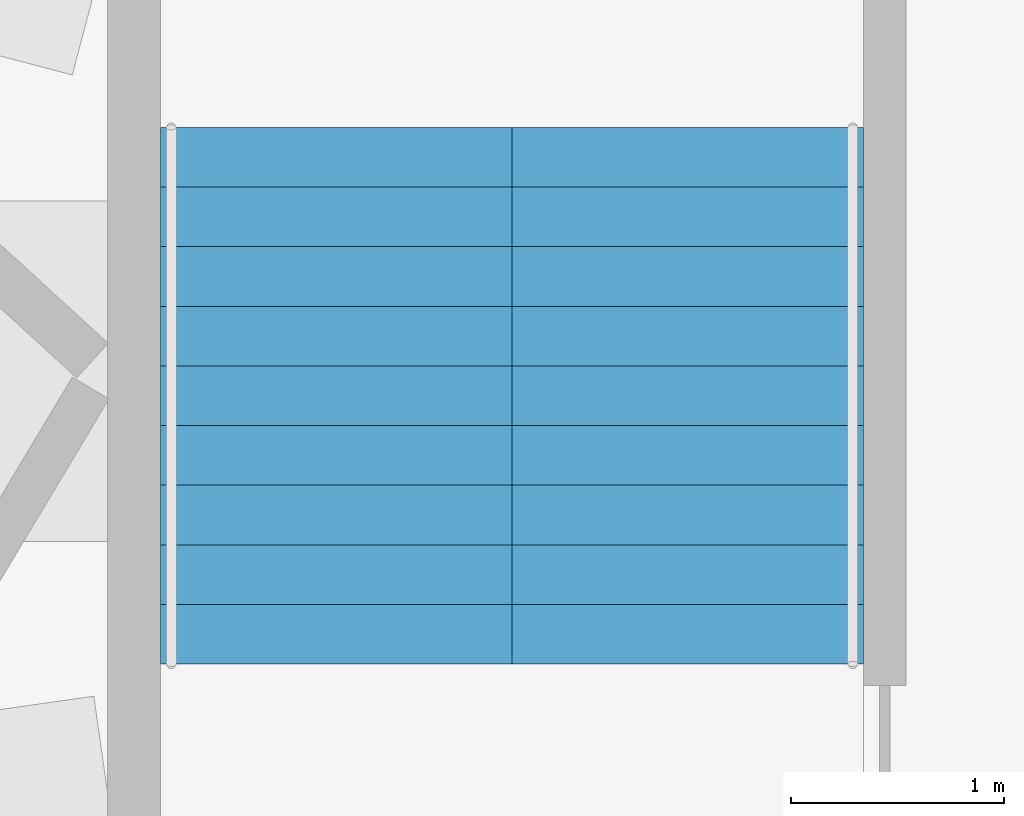
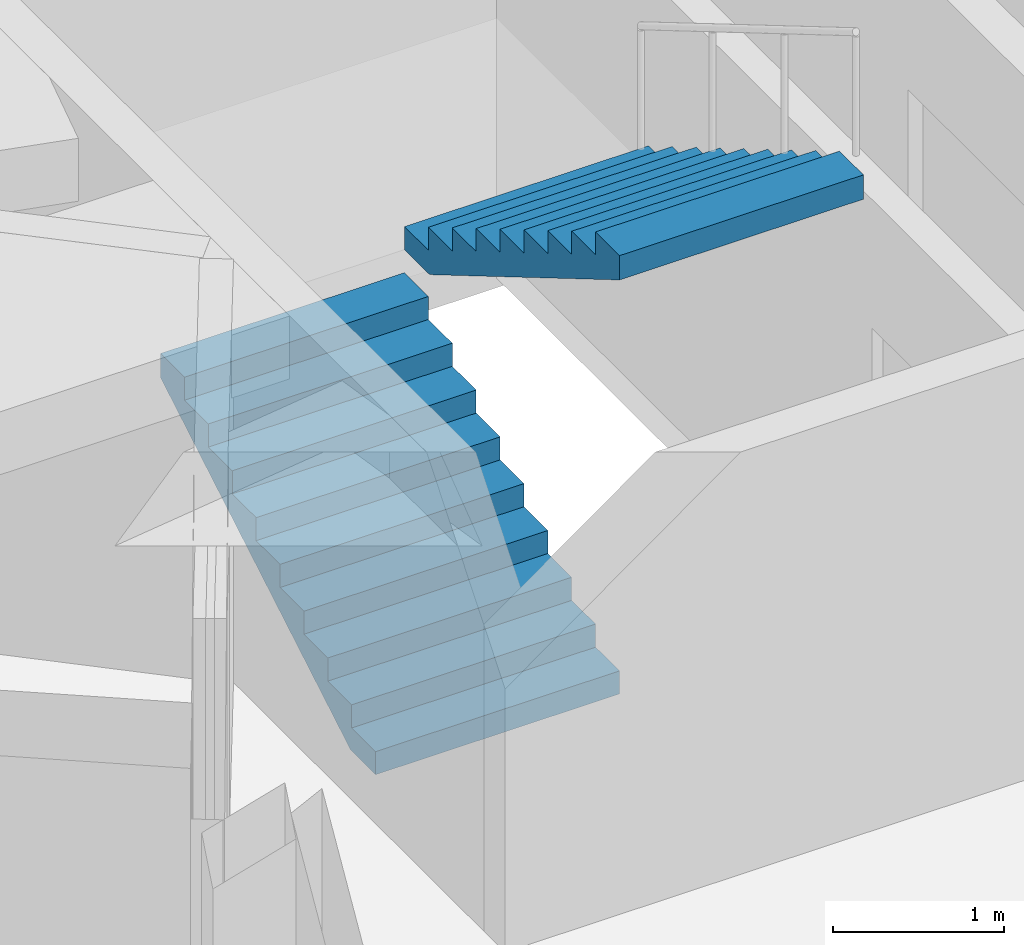
# One storey, part 9 of 12: 2 stair flights, 1 element without a shape of its own.
"""IFC4 building model written with IfcOpenShell, lengths in metres."""

from ifc_helpers import new_model, si_unit, direction, frame, origin, place, context, subcontext, project, spatial, polyline, outline, extrude, material, type_object, element, aggregate, save


model = new_model("IFC4")

# Units and contexts
model_context = context("Model", 3, precision=1e-05, world=origin(), true_north=direction((0.0, 1.0)))
body_context = subcontext(model_context, "Body", "Model", "MODEL_VIEW")
ifc_project = project(units=[si_unit("LENGTHUNIT", "METRE"), si_unit("AREAUNIT", "SQUARE_METRE"), si_unit("VOLUMEUNIT", "CUBIC_METRE"), si_unit("PLANEANGLEUNIT", "RADIAN"), si_unit("MASSUNIT", "GRAM", prefix="KILO")], contexts=[model_context])

# Site, building, storey
site_placement = place(None, origin())
site = spatial("IfcSite", under=ifc_project, at=site_placement, CompositionType="ELEMENT")
building_placement = place(site_placement, origin())
building = spatial("IfcBuilding", under=site, at=building_placement, Name="Taillehof Tower", CompositionType="ELEMENT")
storey_placement = place(building_placement, frame((0.0, 0.0, 145.10009765625)))
storey = spatial("IfcBuildingStorey", under=building, at=storey_placement, Name="L40", CompositionType="ELEMENT", Elevation=145.10009765625)

# Stair, stair flights
ifc_material_1 = material(Name="Concrete C40/50", Category="concrete")
stair_type = type_object("IfcStairType", Name="Exit stair half-turn", PredefinedType="HALF_TURN_STAIR", material=ifc_material_1)
stair_placement = place(storey_placement, origin())
stair = element("IfcStair", 1, at=stair_placement, inside=storey, type_object=stair_type, Name="Exit stair S3", PredefinedType="HALF_TURN_STAIR")
ifc_material_2 = material(Name="Concrete C40/50", Category="concrete")
stair_flight_type = type_object("IfcStairFlightType", Name="Stair flight 1650 riser 165.0 going 280", PredefinedType="STRAIGHT", material=ifc_material_2)
stair_flight_1_placement = place(storey_placement, frame((-13.425048828125, 9.449951171875, 0.0), z_axis=(0.0, 0.0, 1.0), x_axis=(0.0, 1.0, 0.0)))
stair_flight_1 = element("IfcStairFlight", 2, at=stair_flight_1_placement, type_object=stair_flight_type, Name="S3 flight 1", NumberOfRisers=10, NumberOfTreads=9, PredefinedType="STRAIGHT", RiserHeight=0.165, TreadLength=0.28, context=body_context, shape_type="SweptSolid", body=[
    extrude(outline(polyline([(0.0, 0.0), (0.0, 0.00537109375), (0.0, 0.0107421875), (0.0, 0.015869140625), (0.0, 0.021240234375), (0.0, 0.026611328125), (0.0, 0.031982421875), (0.0, 0.037353515625), (0.0, 0.04248046875), (0.0, 0.0478515625), (0.0, 0.05322265625), (0.0, 0.05859375), (0.0, 0.06396484375), (0.0, 0.069091796875), (0.0, 0.074462890625), (0.0, 0.079833984375), (0.0, 0.085205078125), (0.0, 0.090576171875), (0.0, 0.095703125), (0.0, 0.10107421875), (0.0, 0.1064453125), (0.0, 0.11181640625), (0.0, 0.1171875), (0.0, 0.122314453125), (0.0, 0.127685546875), (0.0, 0.133056640625), (0.0, 0.138427734375), (0.0, 0.143798828125), (0.0, 0.14892578125), (0.0, 0.154296875), (0.0, 0.15966796875), (0.0, 0.1650390625), (0.280029296875, 0.1650390625), (0.280029296875, 0.330078125), (0.56005859375, 0.330078125), (0.56005859375, 0.4951171875), (0.840087890625, 0.4951171875), (0.840087890625, 0.659912109375), (1.1201171875, 0.659912109375), (1.1201171875, 0.824951171875), (1.39990234375, 0.824951171875), (1.39990234375, 0.989990234375), (1.679931640625, 0.989990234375), (1.679931640625, 1.155029296875), (1.9599609375, 1.155029296875), (1.9599609375, 1.320068359375), (2.239990234375, 1.320068359375), (2.239990234375, 1.485107421875), (2.52001953125, 1.485107421875), (2.52001953125, 1.4794921875), (2.52001953125, 1.473876953125), (2.52001953125, 1.46826171875), (2.52001953125, 1.462646484375), (2.52001953125, 1.45703125), (2.52001953125, 1.451416015625), (2.52001953125, 1.44580078125), (2.52001953125, 1.440185546875), (2.52001953125, 1.4345703125), (2.52001953125, 1.428955078125), (2.52001953125, 1.42333984375), (2.52001953125, 1.417724609375), (2.52001953125, 1.412109375), (2.52001953125, 1.406494140625), (2.52001953125, 1.40087890625), (2.52001953125, 1.395263671875), (2.52001953125, 1.3896484375), (2.52001953125, 1.384033203125), (2.52001953125, 1.37841796875), (2.52001953125, 1.372802734375), (2.52001953125, 1.3671875), (2.52001953125, 1.361572265625), (2.52001953125, 1.35595703125), (2.52001953125, 1.350341796875), (2.52001953125, 1.3447265625), (2.52001953125, 1.339111328125), (2.52001953125, 1.33349609375), (2.52001953125, 1.327880859375), (2.52001953125, 1.322265625), (2.52001953125, 1.316650390625), (2.52001953125, 1.31103515625), (0.295166015625, 0.0), (0.0, 0.0)])), frame((0.0, 0.824951171875, 0.0), z_axis=(0.0, -1.0, 0.0), x_axis=(1.0, 0.0, 0.0)), (0.0, 0.0, 1.0), 1.65),
])
stair_flight_2_placement = place(storey_placement, frame((-11.77490234375, 11.969970703125, 1.64990234375), z_axis=(0.0, 0.0, 1.0), x_axis=(0.0, -1.0, 0.0)))
stair_flight_2 = element("IfcStairFlight", 3, at=stair_flight_2_placement, type_object=stair_flight_type, Name="S3 flight 2", NumberOfRisers=10, NumberOfTreads=9, PredefinedType="STRAIGHT", RiserHeight=0.165, TreadLength=0.28, context=body_context, shape_type="SweptSolid", body=[
    extrude(outline(polyline([(0.0, 0.0), (0.0, 0.00537109375), (0.0, 0.0107421875), (0.0, 0.015869140625), (0.0, 0.021240234375), (0.0, 0.026611328125), (0.0, 0.031982421875), (0.0, 0.037353515625), (0.0, 0.04248046875), (0.0, 0.0478515625), (0.0, 0.05322265625), (0.0, 0.05859375), (0.0, 0.06396484375), (0.0, 0.069091796875), (0.0, 0.074462890625), (0.0, 0.079833984375), (0.0, 0.085205078125), (0.0, 0.090576171875), (0.0, 0.095703125), (0.0, 0.10107421875), (0.0, 0.1064453125), (0.0, 0.11181640625), (0.0, 0.1171875), (0.0, 0.122314453125), (0.0, 0.127685546875), (0.0, 0.133056640625), (0.0, 0.138427734375), (0.0, 0.143798828125), (0.0, 0.14892578125), (0.0, 0.154296875), (0.0, 0.15966796875), (0.0, 0.1650390625), (0.280029296875, 0.1650390625), (0.280029296875, 0.330078125), (0.56005859375, 0.330078125), (0.56005859375, 0.4951171875), (0.840087890625, 0.4951171875), (0.840087890625, 0.659912109375), (1.1201171875, 0.659912109375), (1.1201171875, 0.824951171875), (1.39990234375, 0.824951171875), (1.39990234375, 0.989990234375), (1.679931640625, 0.989990234375), (1.679931640625, 1.155029296875), (1.9599609375, 1.155029296875), (1.9599609375, 1.320068359375), (2.239990234375, 1.320068359375), (2.239990234375, 1.485107421875), (2.52001953125, 1.485107421875), (2.52001953125, 1.4794921875), (2.52001953125, 1.473876953125), (2.52001953125, 1.46826171875), (2.52001953125, 1.462646484375), (2.52001953125, 1.45703125), (2.52001953125, 1.451416015625), (2.52001953125, 1.44580078125), (2.52001953125, 1.440185546875), (2.52001953125, 1.4345703125), (2.52001953125, 1.428955078125), (2.52001953125, 1.42333984375), (2.52001953125, 1.417724609375), (2.52001953125, 1.412109375), (2.52001953125, 1.406494140625), (2.52001953125, 1.40087890625), (2.52001953125, 1.395263671875), (2.52001953125, 1.3896484375), (2.52001953125, 1.384033203125), (2.52001953125, 1.37841796875), (2.52001953125, 1.372802734375), (2.52001953125, 1.3671875), (2.52001953125, 1.361572265625), (2.52001953125, 1.35595703125), (2.52001953125, 1.350341796875), (2.52001953125, 1.3447265625), (2.52001953125, 1.339111328125), (2.52001953125, 1.33349609375), (2.52001953125, 1.327880859375), (2.52001953125, 1.322265625), (2.52001953125, 1.316650390625), (2.52001953125, 1.31103515625), (0.295166015625, 0.0), (0.0, 0.0)])), frame((0.0, 0.824951171875, 0.0), z_axis=(0.0, -1.0, 0.0), x_axis=(1.0, 0.0, 0.0)), (0.0, 0.0, 1.0), 1.65),
])
aggregate(stair, [stair_flight_1, stair_flight_2])

save(model, "model.ifc")
